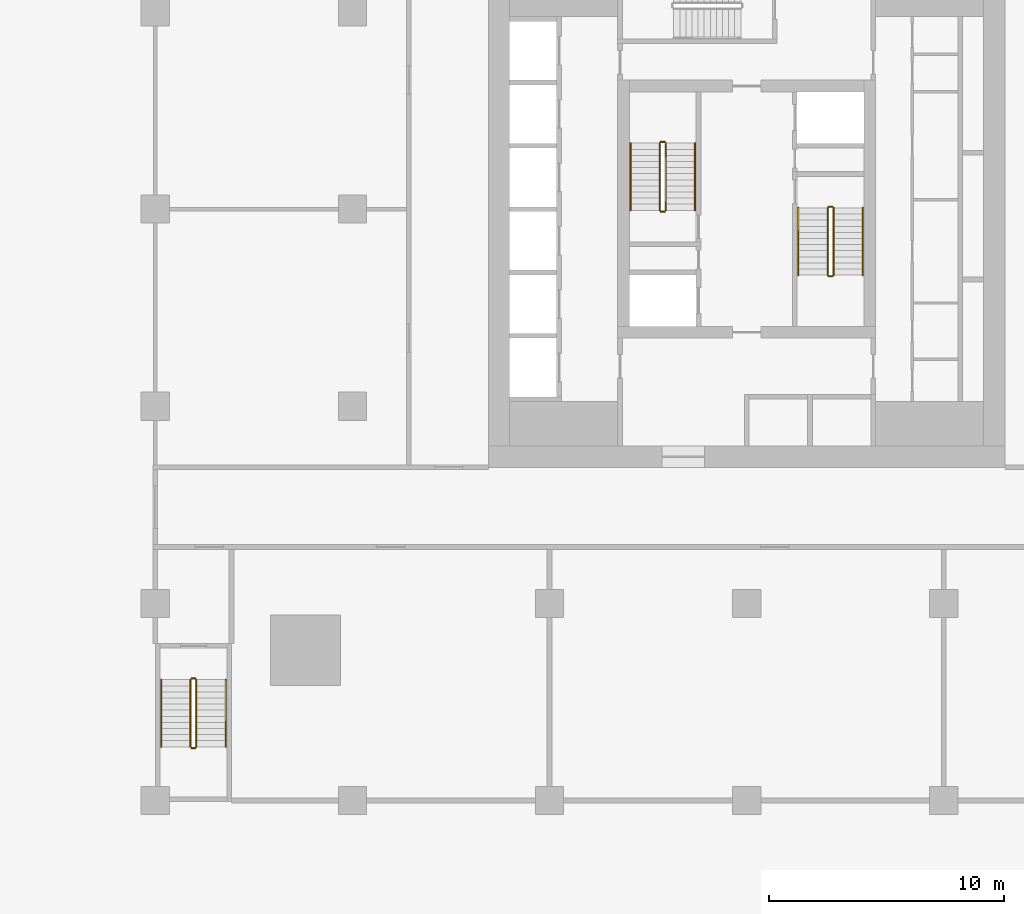
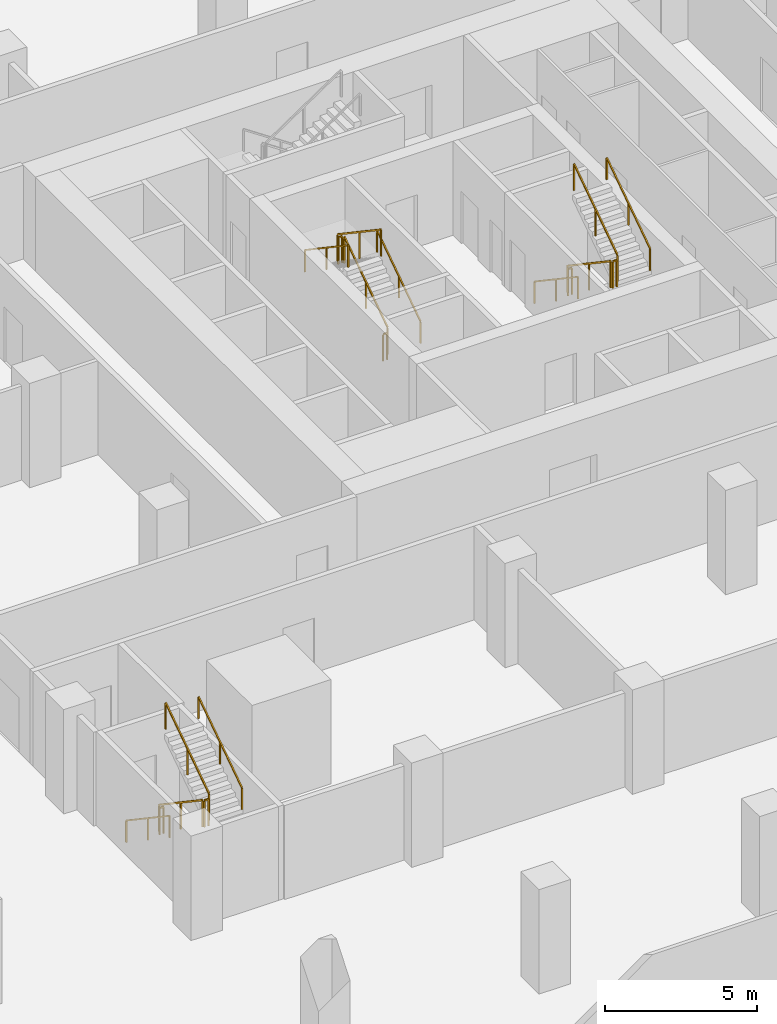
# One storey, part 12 of 16: 18 railings.
"""IFC4 building model written with IfcOpenShell, lengths in metres."""

from ifc_helpers import new_model, si_unit, direction, frame, origin, origin_2d, place, context, subcontext, project, spatial, rectangle, extrude, material, type_object, element, save


model = new_model("IFC4")

# Units and contexts
model_context = context("Model", 3, precision=1e-05, world=origin(), true_north=direction((0.0, 1.0)))
body_context = subcontext(model_context, "Body", "Model", "MODEL_VIEW")
ifc_project = project(units=[si_unit("LENGTHUNIT", "METRE"), si_unit("AREAUNIT", "SQUARE_METRE"), si_unit("VOLUMEUNIT", "CUBIC_METRE"), si_unit("PLANEANGLEUNIT", "RADIAN"), si_unit("MASSUNIT", "GRAM", prefix="KILO")], contexts=[model_context])

# Site, building, storey
site_placement = place(None, origin())
site = spatial("IfcSite", under=ifc_project, at=site_placement, CompositionType="ELEMENT")
building_placement = place(site_placement, origin())
building = spatial("IfcBuilding", under=site, at=building_placement, Name="Khepri Terraces", CompositionType="ELEMENT")
storey_placement = place(building_placement, frame((0.0, 0.0, -4.199951171875)))
storey = spatial("IfcBuildingStorey", under=building, at=storey_placement, Name="B1", CompositionType="ELEMENT", Elevation=-4.199951171875)

# Railings
ifc_material = material(Name="Stainless steel 316", Category="steel")
railing_type_1 = type_object("IfcRailingType", Name="RL-CORE-GUARD", PredefinedType="GUARDRAIL", material=ifc_material)
railing_1_placement = place(storey_placement, frame((-3.449951171875, -0.050048828125, 0.175048828125)))
element("IfcRailing", 1, at=railing_1_placement, inside=storey, type_object=railing_type_1, Name="B1 ST-1 stair guard 1", PredefinedType="GUARDRAIL", context=body_context, shape_type="SweptSolid", body=[
    extrude(rectangle(XDim=0.050048828125, YDim=0.06005859375, at=origin_2d()), frame((0.0, 0.0, 1.070068359375), z_axis=(0.0, 0.829623704247, 0.558322943601), x_axis=(-1.0, 0.0, 0.0)), (0.0, 0.0, 1.0), 3.447509765625),
    extrude(rectangle(XDim=0.050048828125, YDim=0.050048828125, at=origin_2d()), origin(), (0.0, 0.0, 1.0), 1.0400390625),
    extrude(rectangle(XDim=0.050048828125, YDim=0.050048828125, at=origin_2d()), frame((0.0, 1.43017578125, 0.96240234375)), (0.0, 0.0, 1.0), 1.0400390625),
    extrude(rectangle(XDim=0.050048828125, YDim=0.050048828125, at=origin_2d()), frame((0.0, 2.860107421875, 1.9248046875)), (0.0, 0.0, 1.0), 1.0400390625),
])
railing_2_placement = place(storey_placement, frame((-3.5, 2.860107421875, 2.099853515625)))
element("IfcRailing", 2, at=railing_2_placement, inside=storey, type_object=railing_type_1, Name="B1 ST-1 stair guard 2", PredefinedType="GUARDRAIL", context=body_context, shape_type="SweptSolid", body=[
    extrude(rectangle(XDim=0.050048828125, YDim=0.06005859375, at=origin_2d()), frame((0.0, 0.0, 1.070068359375), z_axis=(-1.0, 0.0, 0.0), x_axis=(0.0, -1.0, 0.0)), (0.0, 0.0, 1.0), 0.14990234375),
    extrude(rectangle(XDim=0.050048828125, YDim=0.050048828125, at=origin_2d()), origin(), (0.0, 0.0, 1.0), 1.0400390625),
    extrude(rectangle(XDim=0.050048828125, YDim=0.050048828125, at=origin_2d()), frame((-0.14990234375, 0.0, 0.0)), (0.0, 0.0, 1.0), 1.0400390625),
])
railing_3_placement = place(storey_placement, frame((-3.699951171875, 2.81005859375, 2.27490234375)))
element("IfcRailing", 3, at=railing_3_placement, inside=storey, type_object=railing_type_1, Name="B1 ST-1 stair guard 3", PredefinedType="GUARDRAIL", context=body_context, shape_type="SweptSolid", body=[
    extrude(rectangle(XDim=0.050048828125, YDim=0.06005859375, at=origin_2d()), frame((0.0, 0.0, 1.070068359375), z_axis=(0.0, -0.829590901723, 0.558371682465), x_axis=(1.0, 0.0, 0.0)), (0.0, 0.0, 1.0), 3.447509765625),
    extrude(rectangle(XDim=0.050048828125, YDim=0.050048828125, at=origin_2d()), origin(), (0.0, 0.0, 1.0), 1.0400390625),
    extrude(rectangle(XDim=0.050048828125, YDim=0.050048828125, at=origin_2d()), frame((0.0, -1.43017578125, 0.96240234375)), (0.0, 0.0, 1.0), 1.0400390625),
    extrude(rectangle(XDim=0.050048828125, YDim=0.050048828125, at=origin_2d()), frame((0.0, -2.860107421875, 1.925048828125)), (0.0, 0.0, 1.0), 1.0400390625),
])
railing_4_placement = place(storey_placement, frame((-3.5, -0.10009765625, 0.0)))
element("IfcRailing", 4, at=railing_4_placement, inside=storey, type_object=railing_type_1, Name="B1 ST-1 stair guard 4", PredefinedType="GUARDRAIL", context=body_context, shape_type="SweptSolid", body=[
    extrude(rectangle(XDim=0.050048828125, YDim=0.06005859375, at=origin_2d()), frame((0.0, 0.0, 1.070068359375), z_axis=(-1.0, 0.0, 0.0), x_axis=(0.0, -1.0, 0.0)), (0.0, 0.0, 1.0), 0.14990234375),
    extrude(rectangle(XDim=0.050048828125, YDim=0.050048828125, at=origin_2d()), origin(), (0.0, 0.0, 1.0), 1.0400390625),
    extrude(rectangle(XDim=0.050048828125, YDim=0.050048828125, at=origin_2d()), frame((-0.14990234375, 0.0, 0.0)), (0.0, 0.0, 1.0), 1.0400390625),
])
railing_5_placement = place(storey_placement, frame((3.449951171875, 0.050048828125, 0.175048828125)))
element("IfcRailing", 5, at=railing_5_placement, inside=storey, type_object=railing_type_1, Name="B1 ST-2 stair guard 1", PredefinedType="GUARDRAIL", context=body_context, shape_type="SweptSolid", body=[
    extrude(rectangle(XDim=0.050048828125, YDim=0.06005859375, at=origin_2d()), frame((0.0, 0.0, 1.070068359375), z_axis=(0.0, -0.829623704247, 0.558322943601), x_axis=(1.0, 0.0, 0.0)), (0.0, 0.0, 1.0), 3.447509765625),
    extrude(rectangle(XDim=0.050048828125, YDim=0.050048828125, at=origin_2d()), origin(), (0.0, 0.0, 1.0), 1.0400390625),
    extrude(rectangle(XDim=0.050048828125, YDim=0.050048828125, at=origin_2d()), frame((0.0, -1.43017578125, 0.96240234375)), (0.0, 0.0, 1.0), 1.0400390625),
    extrude(rectangle(XDim=0.050048828125, YDim=0.050048828125, at=origin_2d()), frame((0.0, -2.860107421875, 1.9248046875)), (0.0, 0.0, 1.0), 1.0400390625),
])
railing_6_placement = place(storey_placement, frame((3.5, -2.860107421875, 2.099853515625)))
element("IfcRailing", 6, at=railing_6_placement, inside=storey, type_object=railing_type_1, Name="B1 ST-2 stair guard 2", PredefinedType="GUARDRAIL", context=body_context, shape_type="SweptSolid", body=[
    extrude(rectangle(XDim=0.050048828125, YDim=0.06005859375, at=origin_2d()), frame((0.0, 0.0, 1.070068359375), z_axis=(1.0, 0.0, 0.0), x_axis=(0.0, 1.0, 0.0)), (0.0, 0.0, 1.0), 0.14990234375),
    extrude(rectangle(XDim=0.050048828125, YDim=0.050048828125, at=origin_2d()), origin(), (0.0, 0.0, 1.0), 1.0400390625),
    extrude(rectangle(XDim=0.050048828125, YDim=0.050048828125, at=origin_2d()), frame((0.14990234375, 0.0, 0.0)), (0.0, 0.0, 1.0), 1.0400390625),
])
railing_7_placement = place(storey_placement, frame((3.699951171875, -2.81005859375, 2.27490234375)))
element("IfcRailing", 7, at=railing_7_placement, inside=storey, type_object=railing_type_1, Name="B1 ST-2 stair guard 3", PredefinedType="GUARDRAIL", context=body_context, shape_type="SweptSolid", body=[
    extrude(rectangle(XDim=0.050048828125, YDim=0.06005859375, at=origin_2d()), frame((0.0, 0.0, 1.070068359375), z_axis=(0.0, 0.829590901723, 0.558371682465), x_axis=(-1.0, 0.0, 0.0)), (0.0, 0.0, 1.0), 3.447509765625),
    extrude(rectangle(XDim=0.050048828125, YDim=0.050048828125, at=origin_2d()), origin(), (0.0, 0.0, 1.0), 1.0400390625),
    extrude(rectangle(XDim=0.050048828125, YDim=0.050048828125, at=origin_2d()), frame((0.0, 1.43017578125, 0.96240234375)), (0.0, 0.0, 1.0), 1.0400390625),
    extrude(rectangle(XDim=0.050048828125, YDim=0.050048828125, at=origin_2d()), frame((0.0, 2.860107421875, 1.925048828125)), (0.0, 0.0, 1.0), 1.0400390625),
])
railing_8_placement = place(storey_placement, frame((3.5, 0.10009765625, 0.0)))
element("IfcRailing", 8, at=railing_8_placement, inside=storey, type_object=railing_type_1, Name="B1 ST-2 stair guard 4", PredefinedType="GUARDRAIL", context=body_context, shape_type="SweptSolid", body=[
    extrude(rectangle(XDim=0.050048828125, YDim=0.06005859375, at=origin_2d()), frame((0.0, 0.0, 1.070068359375), z_axis=(1.0, 0.0, 0.0), x_axis=(0.0, 1.0, 0.0)), (0.0, 0.0, 1.0), 0.14990234375),
    extrude(rectangle(XDim=0.050048828125, YDim=0.050048828125, at=origin_2d()), origin(), (0.0, 0.0, 1.0), 1.0400390625),
    extrude(rectangle(XDim=0.050048828125, YDim=0.050048828125, at=origin_2d()), frame((0.14990234375, 0.0, 0.0)), (0.0, 0.0, 1.0), 1.0400390625),
])
railing_type_2 = type_object("IfcRailingType", Name="RL-CORE-HANDRAIL", PredefinedType="HANDRAIL", material=ifc_material)
railing_9_placement = place(storey_placement, frame((-2.199951171875, -0.050048828125, 0.175048828125)))
element("IfcRailing", 9, at=railing_9_placement, inside=storey, type_object=railing_type_2, Name="B1 ST-1 stair handrail 1", PredefinedType="HANDRAIL", context=body_context, shape_type="SweptSolid", body=[
    extrude(rectangle(XDim=0.050048828125, YDim=0.050048828125, at=origin_2d()), frame((0.0, 0.0, 0.875), z_axis=(0.0, 0.829623704247, 0.558322943601), x_axis=(-1.0, 0.0, 0.0)), (0.0, 0.0, 1.0), 3.447509765625),
    extrude(rectangle(XDim=0.050048828125, YDim=0.050048828125, at=origin_2d()), origin(), (0.0, 0.0, 1.0), 0.849853515625),
    extrude(rectangle(XDim=0.050048828125, YDim=0.050048828125, at=origin_2d()), frame((0.0, 1.43017578125, 0.96240234375)), (0.0, 0.0, 1.0), 0.849853515625),
    extrude(rectangle(XDim=0.050048828125, YDim=0.050048828125, at=origin_2d()), frame((0.0, 2.860107421875, 1.9248046875)), (0.0, 0.0, 1.0), 0.849853515625),
])
railing_10_placement = place(storey_placement, frame((-4.949951171875, 2.81005859375, 2.27490234375)))
element("IfcRailing", 10, at=railing_10_placement, inside=storey, type_object=railing_type_2, Name="B1 ST-1 stair handrail 2", PredefinedType="HANDRAIL", context=body_context, shape_type="SweptSolid", body=[
    extrude(rectangle(XDim=0.050048828125, YDim=0.050048828125, at=origin_2d()), frame((0.0, 0.0, 0.875), z_axis=(0.0, -0.829590901723, 0.558371682465), x_axis=(1.0, 0.0, 0.0)), (0.0, 0.0, 1.0), 3.447509765625),
    extrude(rectangle(XDim=0.050048828125, YDim=0.050048828125, at=origin_2d()), origin(), (0.0, 0.0, 1.0), 0.849853515625),
    extrude(rectangle(XDim=0.050048828125, YDim=0.050048828125, at=origin_2d()), frame((0.0, -1.43017578125, 0.96240234375)), (0.0, 0.0, 1.0), 0.849853515625),
    extrude(rectangle(XDim=0.050048828125, YDim=0.050048828125, at=origin_2d()), frame((0.0, -2.860107421875, 1.925048828125)), (0.0, 0.0, 1.0), 0.849853515625),
])
railing_11_placement = place(storey_placement, frame((2.199951171875, 0.050048828125, 0.175048828125)))
element("IfcRailing", 11, at=railing_11_placement, inside=storey, type_object=railing_type_2, Name="B1 ST-2 stair handrail 1", PredefinedType="HANDRAIL", context=body_context, shape_type="SweptSolid", body=[
    extrude(rectangle(XDim=0.050048828125, YDim=0.050048828125, at=origin_2d()), frame((0.0, 0.0, 0.875), z_axis=(0.0, -0.829623704247, 0.558322943601), x_axis=(1.0, 0.0, 0.0)), (0.0, 0.0, 1.0), 3.447509765625),
    extrude(rectangle(XDim=0.050048828125, YDim=0.050048828125, at=origin_2d()), origin(), (0.0, 0.0, 1.0), 0.849853515625),
    extrude(rectangle(XDim=0.050048828125, YDim=0.050048828125, at=origin_2d()), frame((0.0, -1.43017578125, 0.96240234375)), (0.0, 0.0, 1.0), 0.849853515625),
    extrude(rectangle(XDim=0.050048828125, YDim=0.050048828125, at=origin_2d()), frame((0.0, -2.860107421875, 1.9248046875)), (0.0, 0.0, 1.0), 0.849853515625),
])
railing_12_placement = place(storey_placement, frame((4.949951171875, -2.81005859375, 2.27490234375)))
element("IfcRailing", 12, at=railing_12_placement, inside=storey, type_object=railing_type_2, Name="B1 ST-2 stair handrail 2", PredefinedType="HANDRAIL", context=body_context, shape_type="SweptSolid", body=[
    extrude(rectangle(XDim=0.050048828125, YDim=0.050048828125, at=origin_2d()), frame((0.0, 0.0, 0.875), z_axis=(0.0, 0.829590901723, 0.558371682465), x_axis=(-1.0, 0.0, 0.0)), (0.0, 0.0, 1.0), 3.447509765625),
    extrude(rectangle(XDim=0.050048828125, YDim=0.050048828125, at=origin_2d()), origin(), (0.0, 0.0, 1.0), 0.849853515625),
    extrude(rectangle(XDim=0.050048828125, YDim=0.050048828125, at=origin_2d()), frame((0.0, 1.43017578125, 0.96240234375)), (0.0, 0.0, 1.0), 0.849853515625),
    extrude(rectangle(XDim=0.050048828125, YDim=0.050048828125, at=origin_2d()), frame((0.0, 2.860107421875, 1.925048828125)), (0.0, 0.0, 1.0), 0.849853515625),
])
railing_type_3 = type_object("IfcRailingType", Name="RL-POD-GUARD", PredefinedType="GUARDRAIL", material=ifc_material)
railing_13_placement = place(storey_placement, frame((-23.699951171875, -20.050048828125, 0.175048828125)))
element("IfcRailing", 13, at=railing_13_placement, inside=storey, type_object=railing_type_3, Name="B1 PS-4 stair guard 1", PredefinedType="GUARDRAIL", context=body_context, shape_type="SweptSolid", body=[
    extrude(rectangle(XDim=0.050048828125, YDim=0.06005859375, at=origin_2d()), frame((0.0, 0.0, 1.070068359375), z_axis=(0.0, -0.829601626839, 0.558355747482), x_axis=(1.0, 0.0, 0.0)), (0.0, 0.0, 1.0), 3.447265625),
    extrude(rectangle(XDim=0.050048828125, YDim=0.050048828125, at=origin_2d()), origin(), (0.0, 0.0, 1.0), 1.0400390625),
    extrude(rectangle(XDim=0.050048828125, YDim=0.050048828125, at=origin_2d()), frame((0.0, -1.429931640625, 0.96240234375)), (0.0, 0.0, 1.0), 1.0400390625),
    extrude(rectangle(XDim=0.050048828125, YDim=0.050048828125, at=origin_2d()), frame((0.0, -2.85986328125, 1.9248046875)), (0.0, 0.0, 1.0), 1.0400390625),
])
railing_14_placement = place(storey_placement, frame((-23.64990234375, -22.9599609375, 2.099853515625)))
element("IfcRailing", 14, at=railing_14_placement, inside=storey, type_object=railing_type_3, Name="B1 PS-4 stair guard 2", PredefinedType="GUARDRAIL", context=body_context, shape_type="SweptSolid", body=[
    extrude(rectangle(XDim=0.050048828125, YDim=0.06005859375, at=origin_2d()), frame((0.0, 0.0, 1.070068359375), z_axis=(1.0, 0.0, 0.0), x_axis=(0.0, 1.0, 0.0)), (0.0, 0.0, 1.0), 0.14990234375),
    extrude(rectangle(XDim=0.050048828125, YDim=0.050048828125, at=origin_2d()), origin(), (0.0, 0.0, 1.0), 1.0400390625),
    extrude(rectangle(XDim=0.050048828125, YDim=0.050048828125, at=origin_2d()), frame((0.14990234375, 0.0, 0.0)), (0.0, 0.0, 1.0), 1.0400390625),
])
railing_15_placement = place(storey_placement, frame((-23.449951171875, -22.909912109375, 2.27490234375)))
element("IfcRailing", 15, at=railing_15_placement, inside=storey, type_object=railing_type_3, Name="B1 PS-4 stair guard 3", PredefinedType="GUARDRAIL", context=body_context, shape_type="SweptSolid", body=[
    extrude(rectangle(XDim=0.050048828125, YDim=0.06005859375, at=origin_2d()), frame((0.0, 0.0, 1.070068359375), z_axis=(0.0, 0.829568821333, 0.558404486615), x_axis=(-1.0, 0.0, 0.0)), (0.0, 0.0, 1.0), 3.447509765625),
    extrude(rectangle(XDim=0.050048828125, YDim=0.050048828125, at=origin_2d()), origin(), (0.0, 0.0, 1.0), 1.0400390625),
    extrude(rectangle(XDim=0.050048828125, YDim=0.050048828125, at=origin_2d()), frame((0.0, 1.429931640625, 0.96240234375)), (0.0, 0.0, 1.0), 1.0400390625),
    extrude(rectangle(XDim=0.050048828125, YDim=0.050048828125, at=origin_2d()), frame((0.0, 2.85986328125, 1.925048828125)), (0.0, 0.0, 1.0), 1.0400390625),
])
railing_16_placement = place(storey_placement, frame((-23.64990234375, -20.0, 0.0)))
element("IfcRailing", 16, at=railing_16_placement, inside=storey, type_object=railing_type_3, Name="B1 PS-4 stair guard 4", PredefinedType="GUARDRAIL", context=body_context, shape_type="SweptSolid", body=[
    extrude(rectangle(XDim=0.050048828125, YDim=0.06005859375, at=origin_2d()), frame((0.0, 0.0, 1.070068359375), z_axis=(1.0, 0.0, 0.0), x_axis=(0.0, 1.0, 0.0)), (0.0, 0.0, 1.0), 0.14990234375),
    extrude(rectangle(XDim=0.050048828125, YDim=0.050048828125, at=origin_2d()), origin(), (0.0, 0.0, 1.0), 1.0400390625),
    extrude(rectangle(XDim=0.050048828125, YDim=0.050048828125, at=origin_2d()), frame((0.14990234375, 0.0, 0.0)), (0.0, 0.0, 1.0), 1.0400390625),
])
railing_type_4 = type_object("IfcRailingType", Name="RL-POD-HANDRAIL", PredefinedType="HANDRAIL", material=ifc_material)
railing_17_placement = place(storey_placement, frame((-24.949951171875, -20.050048828125, 0.175048828125)))
element("IfcRailing", 17, at=railing_17_placement, inside=storey, type_object=railing_type_4, Name="B1 PS-4 stair handrail 1", PredefinedType="HANDRAIL", context=body_context, shape_type="SweptSolid", body=[
    extrude(rectangle(XDim=0.050048828125, YDim=0.050048828125, at=origin_2d()), frame((0.0, 0.0, 0.875), z_axis=(0.0, -0.829601626839, 0.558355747482), x_axis=(1.0, 0.0, 0.0)), (0.0, 0.0, 1.0), 3.447265625),
    extrude(rectangle(XDim=0.050048828125, YDim=0.050048828125, at=origin_2d()), origin(), (0.0, 0.0, 1.0), 0.849853515625),
    extrude(rectangle(XDim=0.050048828125, YDim=0.050048828125, at=origin_2d()), frame((0.0, -1.429931640625, 0.96240234375)), (0.0, 0.0, 1.0), 0.849853515625),
    extrude(rectangle(XDim=0.050048828125, YDim=0.050048828125, at=origin_2d()), frame((0.0, -2.85986328125, 1.9248046875)), (0.0, 0.0, 1.0), 0.849853515625),
])
railing_18_placement = place(storey_placement, frame((-22.199951171875, -22.909912109375, 2.27490234375)))
element("IfcRailing", 18, at=railing_18_placement, inside=storey, type_object=railing_type_4, Name="B1 PS-4 stair handrail 2", PredefinedType="HANDRAIL", context=body_context, shape_type="SweptSolid", body=[
    extrude(rectangle(XDim=0.050048828125, YDim=0.050048828125, at=origin_2d()), frame((0.0, 0.0, 0.875), z_axis=(0.0, 0.829568821333, 0.558404486615), x_axis=(-1.0, 0.0, 0.0)), (0.0, 0.0, 1.0), 3.447509765625),
    extrude(rectangle(XDim=0.050048828125, YDim=0.050048828125, at=origin_2d()), origin(), (0.0, 0.0, 1.0), 0.849853515625),
    extrude(rectangle(XDim=0.050048828125, YDim=0.050048828125, at=origin_2d()), frame((0.0, 1.429931640625, 0.96240234375)), (0.0, 0.0, 1.0), 0.849853515625),
    extrude(rectangle(XDim=0.050048828125, YDim=0.050048828125, at=origin_2d()), frame((0.0, 2.85986328125, 1.925048828125)), (0.0, 0.0, 1.0), 0.849853515625),
])

save(model, "model.ifc")
